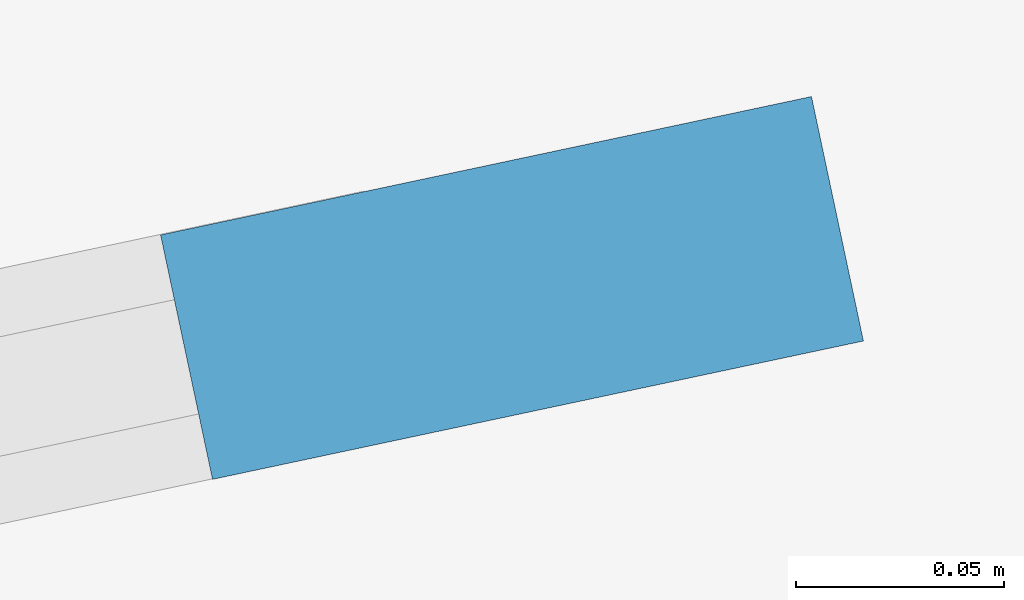
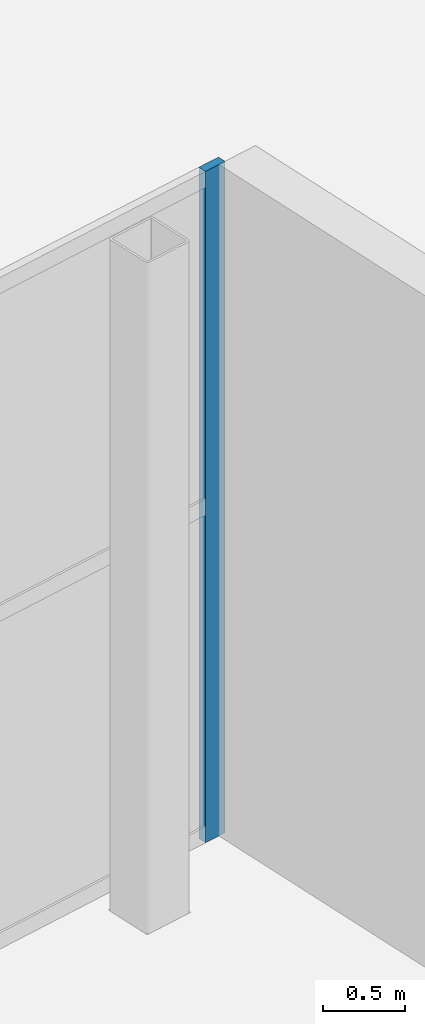
# One storey, part 56 of 157: 1 member, 1 element without a shape of its own.
"""IFC4 building model written with IfcOpenShell, lengths in metres."""

from ifc_helpers import new_model, si_unit, direction, frame, origin, origin_2d, place, context, subcontext, project, spatial, rectangle, extrude, material, layer, layer_set, material_profile, profile_set, type_object, element, aggregate, save


model = new_model("IFC4")

# Units and contexts
model_context = context("Model", 3, precision=1e-05, world=origin(), true_north=direction((0.0, 1.0)))
body_context = subcontext(model_context, "Body", "Model", "MODEL_VIEW")
ifc_project = project(units=[si_unit("LENGTHUNIT", "METRE"), si_unit("AREAUNIT", "SQUARE_METRE"), si_unit("VOLUMEUNIT", "CUBIC_METRE"), si_unit("PLANEANGLEUNIT", "RADIAN"), si_unit("MASSUNIT", "GRAM", prefix="KILO")], contexts=[model_context])

# Site, building, storey
site_placement = place(None, origin())
site = spatial("IfcSite", under=ifc_project, at=site_placement, CompositionType="ELEMENT")
building_placement = place(site_placement, origin())
building = spatial("IfcBuilding", under=site, at=building_placement, Name="Windward Yard Aquatics Centre", CompositionType="ELEMENT")
storey_placement = place(building_placement, origin())
storey = spatial("IfcBuildingStorey", under=building, at=storey_placement, Name="L00", CompositionType="ELEMENT", Elevation=0.0)

# Curtain wall, member
ifc_material_1 = material(Name="Aluminium and glass", Category="aluminium")
ifc_layer = layer(ifc_material_1, 0.159912109375)
ifc_layer_set = layer_set([ifc_layer], Name="D curtain wall 160")
curtain_wall_type = type_object("IfcCurtainWallType", Name="D curtain wall 160", PredefinedType="NOTDEFINED", material=ifc_layer_set)
curtain_wall_placement = place(storey_placement, origin())
curtain_wall = element("IfcCurtainWall", 1, at=curtain_wall_placement, inside=storey, type_object=curtain_wall_type, Name="North glazing L00", PredefinedType="NOTDEFINED")
ifc_material_2 = material(Name="Aluminium extrusion", Category="aluminium")
ifc_material_profile = material_profile(ifc_material_2, rectangle(XDim=0.06005859375, YDim=0.159912109375, at=origin_2d()), Name="MULLION 60X160")
ifc_profile_set = profile_set([ifc_material_profile], Name="Aluminium extrusion")
member_type = type_object("IfcMemberType", Name="D curtain wall mullion 60X160", PredefinedType="MULLION", material=ifc_profile_set)
member_placement = place(storey_placement, frame((192.874267578125, 82.541259765625, 0.0), z_axis=(0.0, 0.0, 1.0), x_axis=(-0.207911718662, 0.978147594815, 0.0)))
member = element("IfcMember", 2, at=member_placement, type_object=member_type, Name="DCW-L00 mullion 20", PredefinedType="MULLION", context=body_context, shape_type="SweptSolid", body=[
    extrude(rectangle(XDim=0.06005859375, YDim=0.159912109375, at=origin_2d()), origin(), (0.0, 0.0, 1.0), 5.0),
])
aggregate(curtain_wall, [member])

save(model, "model.ifc")
